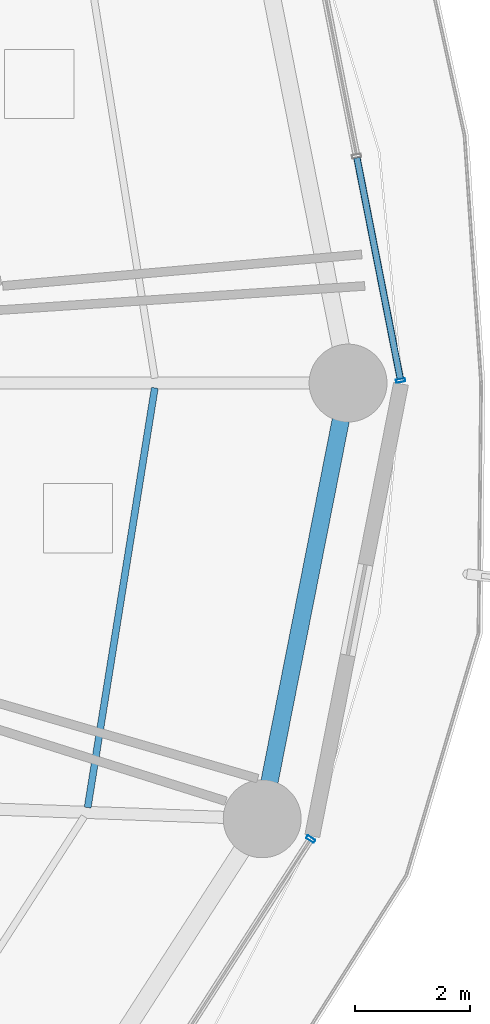
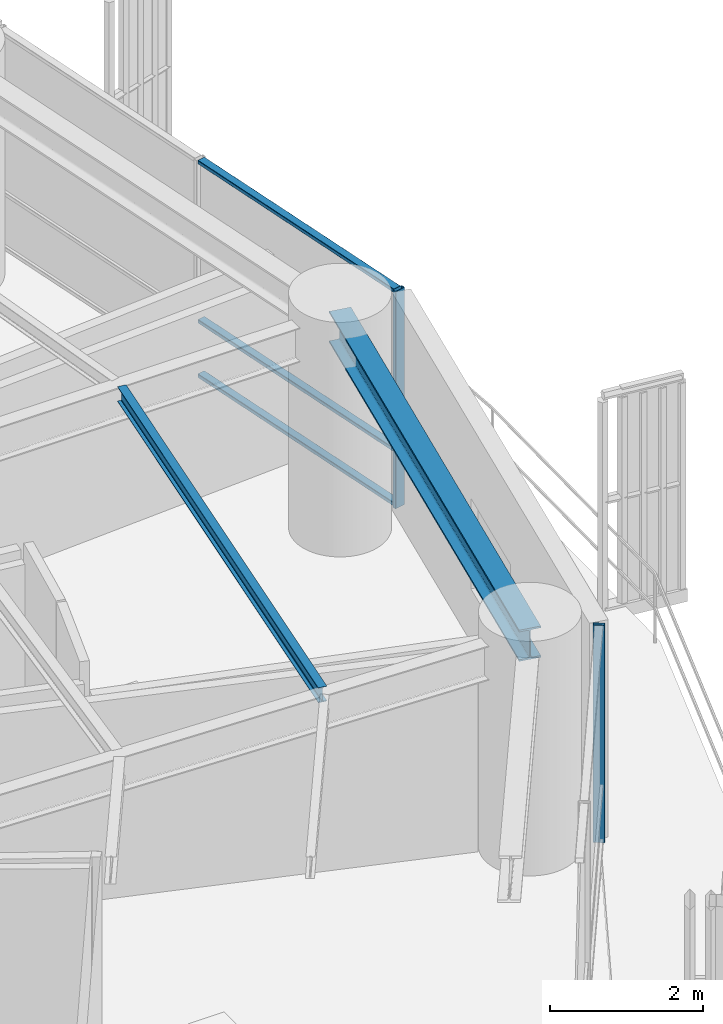
# One storey, part 15 of 36: 5 members, 2 beams, 2 elements without a shape of their own.
"""IFC4 building model written with IfcOpenShell, lengths in metres."""

import ifcopenshell
import ifcopenshell.guid

model = None  # the IFC model being written
_history = None  # IfcOwnerHistory: only IFC2X3 demands one
_inside = {}  # id of a spatial element -> (the spatial element, [elements in it])
_under = {}  # id of a project, library or spatial element -> (it, [spatial elements below it])
_declared = {}  # id of a project -> (the project, [libraries it declares])
_typed = {}  # id of a type object -> (the type object, [elements of that type])
_made_of = {}  # id of a material, layer set ... -> (it, [elements and type objects made of it])


def new_model(schema):
    """Start an empty IFC model of exactly this schema.

    Asked for "IFC4X3", IfcOpenShell would pick the latest addendum, in which some entities
    have other attributes; the version numbers below select the first issue.
    IFC2X3 requires an IfcOwnerHistory on every rooted entity: one is made here for all.
    """
    global model, _history
    if schema == "IFC4X3":
        model = ifcopenshell.file(schema_version=(4, 3, 0, 0))
    else:
        model = ifcopenshell.file(schema=schema)
    _inside.clear()
    _under.clear()
    _declared.clear()
    _typed.clear()
    _made_of.clear()
    _history = None
    if model.schema == "IFC2X3":
        org = make("IfcOrganization", Name="unknown")
        user = make(
            "IfcPersonAndOrganization",
            ThePerson=make("IfcPerson", FamilyName="unknown"),
            TheOrganization=org,
        )
        app = make(
            "IfcApplication",
            ApplicationDeveloper=org,
            Version="unknown",
            ApplicationFullName="unknown",
            ApplicationIdentifier="unknown",
        )
        _history = make(
            "IfcOwnerHistory",
            OwningUser=user,
            OwningApplication=app,
            ChangeAction="ADDED",
            CreationDate=0,
        )
    return model


def make(cls, **values):
    """One entity of the class cls with the attributes given. An attribute that is None is left unset."""
    return model.create_entity(
        cls, **{name: value for name, value in values.items() if value is not None}
    )


def rooted(cls, **values):
    """An entity with a GlobalId (a new one), such as an element, a storey or a relation."""
    return make(cls, GlobalId=ifcopenshell.guid.new(), OwnerHistory=_history, **values)


def si_unit(unit_type, name, prefix=None):
    """IfcSIUnit, for example si_unit("LENGTHUNIT", "METRE", prefix="MILLI")."""
    return make("IfcSIUnit", UnitType=unit_type, Prefix=prefix, Name=name)


def assignment(units):
    """IfcUnitAssignment: the units of a project."""
    return None if units is None else make("IfcUnitAssignment", Units=units)


def point(xyz):
    """IfcCartesianPoint."""
    return None if xyz is None else make("IfcCartesianPoint", Coordinates=xyz)


def direction(xyz):
    """IfcDirection."""
    return None if xyz is None else make("IfcDirection", DirectionRatios=xyz)


def frame(location, z_axis=None, x_axis=None):
    """IfcAxis2Placement3D, a coordinate frame: its origin and axes. An axis left out is left unset."""
    return make(
        "IfcAxis2Placement3D",
        Location=point(location),
        Axis=direction(z_axis),
        RefDirection=direction(x_axis),
    )


def frame_2d(location, x_axis=None):
    """IfcAxis2Placement2D, a coordinate frame in the plane: its origin and x axis."""
    return make(
        "IfcAxis2Placement2D", Location=point(location), RefDirection=direction(x_axis)
    )


def origin():
    """The frame at (0, 0, 0) with its axes left unset."""
    return frame((0.0, 0.0, 0.0))


def origin_2d():
    """The frame at (0, 0) in the plane with its x axis left unset."""
    return frame_2d((0.0, 0.0))


def place(relative_to, where):
    """IfcLocalPlacement: puts the frame where relative to a parent placement (None: the world)."""
    return make(
        "IfcLocalPlacement", PlacementRelTo=relative_to, RelativePlacement=where
    )


def context(
    kind, dimensions, precision=None, world=None, true_north=None, identifier=None
):
    """IfcGeometricRepresentationContext, for example the 3D "Model" context."""
    return make(
        "IfcGeometricRepresentationContext",
        ContextIdentifier=identifier,
        ContextType=kind,
        CoordinateSpaceDimension=dimensions,
        Precision=precision,
        WorldCoordinateSystem=world,
        TrueNorth=true_north,
    )


def subcontext(parent, identifier, kind, view, scale=None):
    """IfcGeometricRepresentationSubContext, for example "Body" below "Model"."""
    return make(
        "IfcGeometricRepresentationSubContext",
        ContextIdentifier=identifier,
        ContextType=kind,
        ParentContext=parent,
        TargetScale=scale,
        TargetView=view,
    )


def project(units=None, contexts=None):
    """IfcProject with its units and contexts."""
    return rooted(
        "IfcProject",
        Name="project",
        RepresentationContexts=contexts,
        UnitsInContext=assignment(units),
    )


def spatial(cls, under=None, at=None, **own):
    """A site, building, storey or space (cls), placed at a placement, below another one or the project."""
    s = rooted(cls, ObjectPlacement=at, **own)
    if under is not None:
        _under.setdefault(under.id(), (under, []))[1].append(s)
    return s


def profile(cls, at=None, kind="AREA", **sizes):
    """A parametric profile (cls). Its sizes go by their IFC names, for example OverallWidth=200.0."""
    return make(cls, ProfileType=kind, Position=at, **sizes)


def hollow_rectangle(**sizes):
    """IfcRectangleHollowProfileDef."""
    return profile("IfcRectangleHollowProfileDef", **sizes)


def i_section(**sizes):
    """IfcIShapeProfileDef."""
    return profile("IfcIShapeProfileDef", **sizes)


def extrude(swept, where, along, depth):
    """IfcExtrudedAreaSolid: the profile swept, set in the frame where, extruded along a direction by depth."""
    return make(
        "IfcExtrudedAreaSolid",
        SweptArea=swept,
        Position=where,
        ExtrudedDirection=direction(along),
        Depth=depth,
    )


def shape(context_of_items, identifier, shape_type, items):
    """IfcShapeRepresentation: the items that make up one representation, for example the "Body"."""
    return make(
        "IfcShapeRepresentation",
        ContextOfItems=context_of_items,
        RepresentationIdentifier=identifier,
        RepresentationType=shape_type,
        Items=items,
    )


def material(Name=None, Category=None):
    """IfcMaterial."""
    return make("IfcMaterial", Name=Name, Category=Category)


def layer(
    of_material, thickness, ventilated=None, Name=None, Category=None, Priority=None
):
    """IfcMaterialLayer: one layer of a wall or slab, of a material (None: an air gap)."""
    return make(
        "IfcMaterialLayer",
        Material=of_material,
        LayerThickness=thickness,
        IsVentilated=ventilated,
        Name=Name,
        Category=Category,
        Priority=Priority,
    )


def layer_set(layers, Name=None):
    """IfcMaterialLayerSet."""
    return make("IfcMaterialLayerSet", MaterialLayers=layers, LayerSetName=Name)


def material_profile(
    of_material, cross_section, Name=None, Category=None, Priority=None
):
    """IfcMaterialProfile: a cross section and its material."""
    return make(
        "IfcMaterialProfile",
        Name=Name,
        Material=of_material,
        Profile=cross_section,
        Priority=Priority,
        Category=Category,
    )


def profile_set(profiles, Name=None, composite=None):
    """IfcMaterialProfileSet."""
    return make(
        "IfcMaterialProfileSet",
        Name=Name,
        MaterialProfiles=profiles,
        CompositeProfile=composite,
    )


def made_of(thing, what):
    """Note that an element or type object is made of a material, layer set ...; save() writes the relation."""
    if what is not None:
        _made_of.setdefault(what.id(), (what, []))[1].append(thing)
    return thing


def type_object(cls, material=None, **own):
    """A type object (cls), such as IfcWallType, which elements share."""
    return made_of(rooted(cls, **own), material)


def element(
    cls,
    number,
    at=None,
    inside=None,
    cuts=None,
    type_object=None,
    material=None,
    context=None,
    identifier="Body",
    shape_type=None,
    held_by="IfcProductDefinitionShape",
    body=None,
    shapes=None,
    **own,
):
    """One element of the class cls, such as IfcWall. Its Tag is "e" and its number.

    at: its placement. inside: the storey or other place that contains it. cuts: it is an
    opening in that element (IfcRelVoidsElement). A single representation is given by context,
    identifier, shape_type and body (its items); several are given by shapes. held_by: the class
    of the entity that holds the representations. save() writes the other relations.
    """
    e = rooted(cls, Tag="e%d" % number, ObjectPlacement=at, **own)
    if body is not None:
        shapes = [shape(context, identifier, shape_type, body)]
    if shapes is not None:
        e.Representation = make(held_by, Representations=shapes)
    if inside is not None:
        _inside.setdefault(inside.id(), (inside, []))[1].append(e)
    if cuts is not None:
        rooted(
            "IfcRelVoidsElement", RelatingBuildingElement=cuts, RelatedOpeningElement=e
        )
    if type_object is not None:
        _typed.setdefault(type_object.id(), (type_object, []))[1].append(e)
    return made_of(e, material)


def aggregate(whole, parts):
    """IfcRelAggregates: a whole, such as a stair, and the parts it consists of."""
    return rooted("IfcRelAggregates", RelatingObject=whole, RelatedObjects=parts)


def save(model, path):
    """Write the relations noted so far, then the file.

    IfcRelAggregates (storeys below a building ...), IfcRelContainedInSpatialStructure (elements
    in a storey), IfcRelDefinesByType, IfcRelAssociatesMaterial and IfcRelDeclares: one each for
    every whole, place, type object, material and project.
    """
    for whole, parts in _under.values():
        aggregate(whole, parts)
    for where, things in _inside.values():
        rooted(
            "IfcRelContainedInSpatialStructure",
            RelatedElements=things,
            RelatingStructure=where,
        )
    for kind, things in _typed.values():
        rooted("IfcRelDefinesByType", RelatedObjects=things, RelatingType=kind)
    for what, things in _made_of.values():
        rooted("IfcRelAssociatesMaterial", RelatedObjects=things, RelatingMaterial=what)
    for by, libraries in _declared.values():
        rooted("IfcRelDeclares", RelatingContext=by, RelatedDefinitions=libraries)
    model.write(path)


model = new_model("IFC4")

# Units and contexts
model_context = context("Model", 3, precision=1e-05, world=origin(), true_north=direction((0.0, 1.0)))
body_context = subcontext(model_context, "Body", "Model", "MODEL_VIEW")
ifc_project = project(units=[si_unit("LENGTHUNIT", "METRE"), si_unit("AREAUNIT", "SQUARE_METRE"), si_unit("VOLUMEUNIT", "CUBIC_METRE"), si_unit("PLANEANGLEUNIT", "RADIAN"), si_unit("MASSUNIT", "GRAM", prefix="KILO")], contexts=[model_context])

# Site, building, storey
site_placement = place(None, origin())
site = spatial("IfcSite", under=ifc_project, at=site_placement, CompositionType="ELEMENT")
building_placement = place(site_placement, origin())
building = spatial("IfcBuilding", under=site, at=building_placement, Name="Kelanora Arch Commons", CompositionType="ELEMENT")
storey_placement = place(building_placement, frame((0.0, 0.0, 98.85009765625)))
storey = spatial("IfcBuildingStorey", under=building, at=storey_placement, Name="L25", CompositionType="ELEMENT", Elevation=98.85009765625)

# Beams
ifc_material_1 = material(Name="Steel S355", Category="steel")
ifc_material_profile_1 = material_profile(ifc_material_1, i_section(OverallWidth=0.1201171875, OverallDepth=0.239990234375, WebThickness=0.006103515625, FlangeThickness=0.009765625, FilletRadius=0.014892578125, at=origin_2d()), Name="IPE240")
ifc_profile_set_1 = profile_set([ifc_material_profile_1], Name="Steel S355")
beam_type_1 = type_object("IfcBeamType", Name="BM-JST-02", PredefinedType="JOIST", material=ifc_profile_set_1)
beam_1_placement = place(storey_placement, frame((94.166748046875, 50.642578125, 3.369873046875), z_axis=(0.157999549894, 0.987439184068, 0.0), x_axis=(-0.987439184068, 0.157999549894, 0.0)))
element("IfcBeam", 1, at=beam_1_placement, inside=storey, type_object=beam_type_1, Name="Secondary Chord Joist BJC-34 L25", PredefinedType="JOIST", context=body_context, shape_type="SweptSolid", body=[
    extrude(i_section(OverallWidth=0.1201171875, OverallDepth=0.239990234375, WebThickness=0.006103515625, FlangeThickness=0.009765625, FilletRadius=0.014892578125, at=origin_2d()), origin(), (0.0, 0.0, 1.0), 7.365966796875),
])
ifc_material_profile_2 = material_profile(ifc_material_1, i_section(OverallWidth=0.300048828125, OverallDepth=0.5, WebThickness=0.014404296875, FlangeThickness=0.028076171875, FilletRadius=0.027099609375, at=origin_2d()), Name="HEB500")
ifc_profile_set_2 = profile_set([ifc_material_profile_2], Name="Steel S355")
beam_type_2 = type_object("IfcBeamType", Name="BM-SPN-Z2", PredefinedType="SPANDREL", material=ifc_profile_set_2)
beam_2_placement = place(storey_placement, frame((97.191650390625, 50.4482421875, 3.239990234375), z_axis=(0.19335825777, 0.981128220037, 0.0), x_axis=(-0.981128220037, 0.19335825777, 0.0)))
element("IfcBeam", 2, at=beam_2_placement, inside=storey, type_object=beam_type_2, Name="Perimeter Spandrel Beam BS-34 L25", PredefinedType="SPANDREL", context=body_context, shape_type="SweptSolid", body=[
    extrude(i_section(OverallWidth=0.300048828125, OverallDepth=0.5, WebThickness=0.014404296875, FlangeThickness=0.028076171875, FilletRadius=0.027099609375, at=origin_2d()), origin(), (0.0, 0.0, 1.0), 7.697021484375),
])

# Curtain wall, member
ifc_material_2 = material(Name="Terracotta ceramic-fritted low-E glass and aluminium", Category="masonry")
ifc_layer = layer(ifc_material_2, 0.159912109375)
ifc_layer_set = layer_set([ifc_layer], Name="Terracotta ceramic-fritted low-E glass and aluminium")
curtain_wall_type = type_object("IfcCurtainWallType", Name="CW-SYS-01", PredefinedType="NOTDEFINED", material=ifc_layer_set)
curtain_wall_1_placement = place(storey_placement, origin())
curtain_wall_1 = element("IfcCurtainWall", 3, at=curtain_wall_1_placement, inside=storey, type_object=curtain_wall_type, Name="Unitised Curtain Wall L25-B00", PredefinedType="NOTDEFINED")
ifc_material_3 = material(Name="Powder-coated aluminium terracotta", Category="masonry")
ifc_material_profile_3 = material_profile(ifc_material_3, hollow_rectangle(XDim=0.159912109375, YDim=0.06005859375, WallThickness=0.0048828125, InnerFilletRadius=0.0048828125, OuterFilletRadius=0.010009765625, at=origin_2d()), Name="CWM160x60")
ifc_profile_set_3 = profile_set([ifc_material_profile_3], Name="Powder-coated aluminium terracotta")
member_type_1 = type_object("IfcMemberType", Name="CWM-STD", PredefinedType="MULLION", material=ifc_profile_set_3)
member_1_placement = place(storey_placement, frame((99.59130859375, 58.044189453125, 0.0), z_axis=(0.0, 0.0, 1.0), x_axis=(-0.981280311646, -0.192584916272, 0.0)))
member_1 = element("IfcMember", 4, at=member_1_placement, type_object=member_type_1, Name="CW-01 mullion 1", PredefinedType="MULLION", context=body_context, shape_type="SweptSolid", body=[
    extrude(hollow_rectangle(XDim=0.159912109375, YDim=0.06005859375, WallThickness=0.0048828125, InnerFilletRadius=0.0048828125, OuterFilletRadius=0.010009765625, at=origin_2d()), origin(), (0.0, 0.0, 1.0), 3.474853515625),
])

curtain_wall_2_placement = place(storey_placement, origin())
curtain_wall_2 = element("IfcCurtainWall", 5, at=curtain_wall_2_placement, inside=storey, type_object=curtain_wall_type, Name="Unitised Curtain Wall L25-B16", PredefinedType="NOTDEFINED")
member_2_placement = place(storey_placement, frame((98.03173828125, 50.095703125, 0.0), z_axis=(0.0, 0.0, 1.0), x_axis=(-0.841268883088, 0.540616931244, 0.0)))
member_2 = element("IfcMember", 6, at=member_2_placement, type_object=member_type_1, Name="CW-01 mullion 3", PredefinedType="MULLION", context=body_context, shape_type="SweptSolid", body=[
    extrude(hollow_rectangle(XDim=0.159912109375, YDim=0.06005859375, WallThickness=0.0048828125, InnerFilletRadius=0.0048828125, OuterFilletRadius=0.010009765625, at=origin_2d()), origin(), (0.0, 0.0, 1.0), 3.474853515625),
])
aggregate(curtain_wall_2, [member_2])

# Member
ifc_material_profile_4 = material_profile(ifc_material_3, hollow_rectangle(XDim=0.1201171875, YDim=0.06005859375, WallThickness=0.0048828125, InnerFilletRadius=0.0048828125, OuterFilletRadius=0.010009765625, at=origin_2d()), Name="CWT120x60")
ifc_profile_set_4 = profile_set([ifc_material_profile_4], Name="Powder-coated aluminium terracotta")
member_type_2 = type_object("IfcMemberType", Name="CWT-STD", PredefinedType="USERDEFINED", material=ifc_profile_set_4)
member_3_placement = place(storey_placement, frame((99.58544921875, 58.073486328125, 0.02978515625), z_axis=(-0.192578614785, 0.981281548348, 0.0), x_axis=(-0.981281548348, -0.192578614785, 0.0)))
member_3 = element("IfcMember", 7, at=member_3_placement, type_object=member_type_2, Name="CW-01 transom 1.1", ObjectType="TRANSOM", PredefinedType="USERDEFINED", context=body_context, shape_type="SweptSolid", body=[
    extrude(hollow_rectangle(XDim=0.1201171875, YDim=0.06005859375, WallThickness=0.0048828125, InnerFilletRadius=0.0048828125, OuterFilletRadius=0.010009765625, at=origin_2d()), origin(), (0.0, 0.0, 1.0), 3.9033203125),
])

member_4_placement = place(storey_placement, frame((99.58544921875, 58.073486328125, 0.89990234375), z_axis=(-0.192578614785, 0.981281548348, 0.0), x_axis=(-0.981281548348, -0.192578614785, 0.0)))
member_4 = element("IfcMember", 8, at=member_4_placement, type_object=member_type_2, Name="CW-01 transom 1.2", ObjectType="TRANSOM", PredefinedType="USERDEFINED", context=body_context, shape_type="SweptSolid", body=[
    extrude(hollow_rectangle(XDim=0.1201171875, YDim=0.06005859375, WallThickness=0.0048828125, InnerFilletRadius=0.0048828125, OuterFilletRadius=0.010009765625, at=origin_2d()), origin(), (0.0, 0.0, 1.0), 3.9033203125),
])

member_5_placement = place(storey_placement, frame((99.58544921875, 58.073486328125, 3.44482421875), z_axis=(-0.192578614785, 0.981281548348, 0.0), x_axis=(-0.981281548348, -0.192578614785, 0.0)))
member_5 = element("IfcMember", 9, at=member_5_placement, type_object=member_type_2, Name="CW-01 transom 1.3", ObjectType="TRANSOM", PredefinedType="USERDEFINED", context=body_context, shape_type="SweptSolid", body=[
    extrude(hollow_rectangle(XDim=0.1201171875, YDim=0.06005859375, WallThickness=0.0048828125, InnerFilletRadius=0.0048828125, OuterFilletRadius=0.010009765625, at=origin_2d()), origin(), (0.0, 0.0, 1.0), 3.9033203125),
])

aggregate(curtain_wall_1, [member_1, member_3, member_4, member_5])

save(model, "model.ifc")
